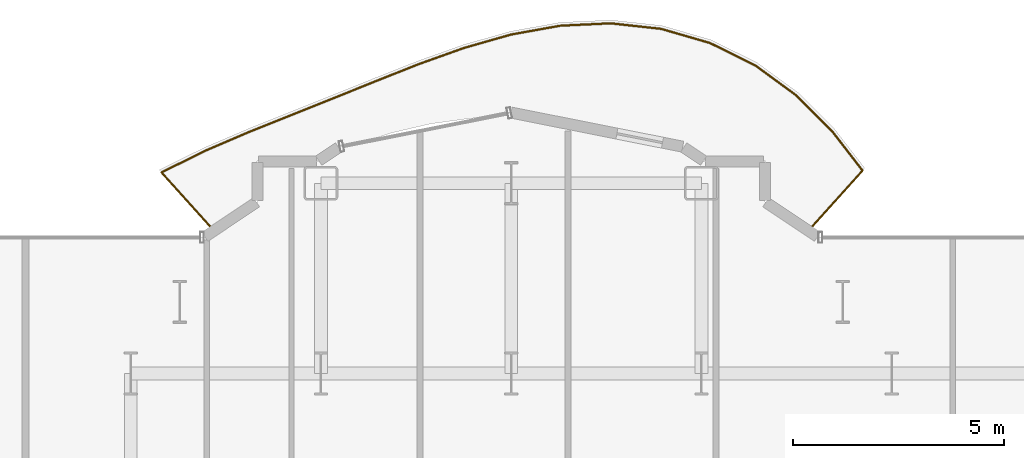
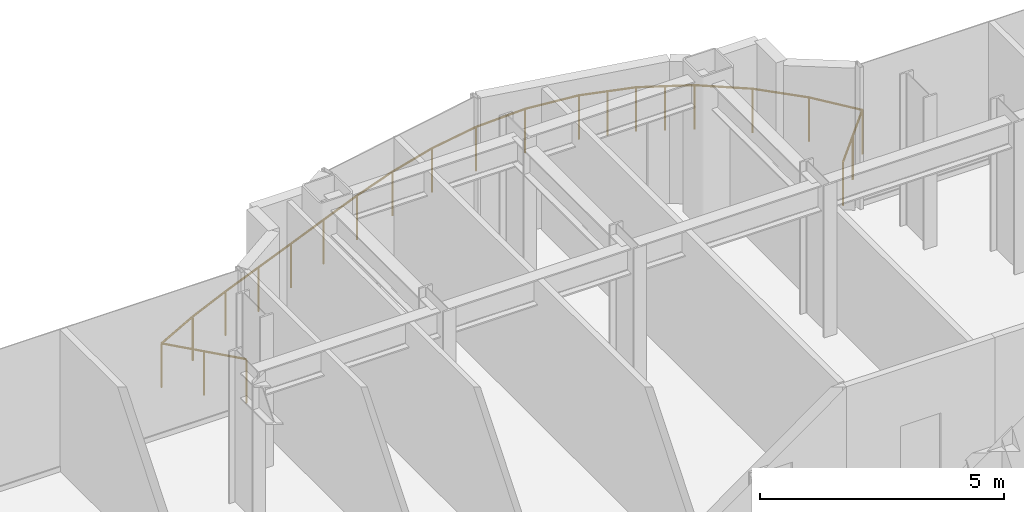
# One storey, part 29 of 29: 1 railing.
"""IFC4 building model written with IfcOpenShell, lengths in metres."""

from ifc_helpers import new_model, si_unit, direction, frame, origin, origin_2d, place, context, subcontext, project, spatial, circle, extrude, material, type_object, element, save


model = new_model("IFC4")

# Units and contexts
model_context = context("Model", 3, precision=1e-05, world=origin(), true_north=direction((0.0, 1.0)))
body_context = subcontext(model_context, "Body", "Model", "MODEL_VIEW")
ifc_project = project(units=[si_unit("LENGTHUNIT", "METRE"), si_unit("AREAUNIT", "SQUARE_METRE"), si_unit("VOLUMEUNIT", "CUBIC_METRE"), si_unit("PLANEANGLEUNIT", "RADIAN"), si_unit("MASSUNIT", "GRAM", prefix="KILO")], contexts=[model_context])

# Site, building, storey
site_placement = place(None, origin())
site = spatial("IfcSite", under=ifc_project, at=site_placement, CompositionType="ELEMENT")
building_placement = place(site_placement, origin())
building = spatial("IfcBuilding", under=site, at=building_placement, Name="Nefas-Gora Pilgrimage Tower", CompositionType="ELEMENT")
storey_placement = place(building_placement, frame((0.0, 0.0, 136.39990234375)))
storey = spatial("IfcBuildingStorey", under=building, at=storey_placement, Name="L33", CompositionType="ELEMENT", Elevation=136.39990234375)

# Railing
ifc_material = material(Name="Laminated safety glass and stainless steel", Category="steel")
railing_type = type_object("IfcRailingType", Name="RLG-BAL-1100", PredefinedType="BALUSTRADE", material=ifc_material)
railing_placement = place(storey_placement, frame((4.802490234375, 21.402587890625, 0.0)))
element("IfcRailing", 1, at=railing_placement, inside=storey, type_object=railing_type, Name="L33 Wave Balcony Balustrade N1", PredefinedType="BALUSTRADE", context=body_context, shape_type="SweptSolid", body=[
    extrude(circle(Radius=0.02392578125, at=origin_2d()), frame((0.0, 0.0, 1.09619140625), z_axis=(0.669129721026, 0.743145622634, 0.0), x_axis=(-0.743145622634, 0.669129721026, 0.0)), (0.0, 0.0, 1.0), 1.880126953125),
    extrude(circle(Radius=0.02392578125, at=origin_2d()), frame((1.258056640625, 1.397216796875, 1.09619140625), z_axis=(-0.611200063939, 0.791476141044, 0.0), x_axis=(-0.791476141044, -0.611200063939, 0.0)), (0.0, 0.0, 1.0), 1.179443359375),
    extrude(circle(Radius=0.02392578125, at=origin_2d()), frame((0.537109375, 2.330810546875, 1.09619140625), z_axis=(-0.707209030738, 0.707004516848, 0.0), x_axis=(-0.707004516848, -0.707209030738, 0.0)), (0.0, 0.0, 1.0), 1.19384765625),
    extrude(circle(Radius=0.02392578125, at=origin_2d()), frame((-0.30712890625, 3.1748046875, 1.09619140625), z_axis=(-0.807148617314, 0.590348295135, 0.0), x_axis=(-0.590348295135, -0.807148617314, 0.0)), (0.0, 0.0, 1.0), 1.19921875),
    extrude(circle(Radius=0.02392578125, at=origin_2d()), frame((-1.275146484375, 3.8828125, 1.09619140625), z_axis=(-0.896048232133, 0.443956716011, 0.0), x_axis=(-0.443956716011, -0.896048232133, 0.0)), (0.0, 0.0, 1.0), 1.200439453125),
    extrude(circle(Radius=0.02392578125, at=origin_2d()), frame((-2.350830078125, 4.415771484375, 1.09619140625), z_axis=(-0.960465578019, 0.278398766951, 0.0), x_axis=(-0.278398766951, -0.960465578019, 0.0)), (0.0, 0.0, 1.0), 1.200439453125),
    extrude(circle(Radius=0.02392578125, at=origin_2d()), frame((-3.50390625, 4.75, 1.09619140625), z_axis=(-0.994009663553, 0.109292217307, 0.0), x_axis=(-0.109292217307, -0.994009663553, 0.0)), (0.0, 0.0, 1.0), 1.199462890625),
    extrude(circle(Radius=0.02392578125, at=origin_2d()), frame((-4.6962890625, 4.881103515625, 1.09619140625), z_axis=(-0.998903921138, -0.046807652535, 0.0), x_axis=(0.046807652535, -0.998903921138, 0.0)), (0.0, 0.0, 1.0), 1.1943359375),
    extrude(circle(Radius=0.02392578125, at=origin_2d()), frame((-5.889404296875, 4.8251953125, 1.09619140625), z_axis=(-0.984273970402, -0.176648665973, 0.0), x_axis=(0.176648665973, -0.984273970402, 0.0)), (0.0, 0.0, 1.0), 1.181640625),
    extrude(circle(Radius=0.02392578125, at=origin_2d()), frame((-7.052490234375, 4.616455078125, 1.09619140625), z_axis=(-0.961722400744, -0.274025589875, 0.0), x_axis=(0.274025589875, -0.961722400744, 0.0)), (0.0, 0.0, 1.0), 1.1591796875),
    extrude(circle(Radius=0.02392578125, at=origin_2d()), frame((-8.167236328125, 4.298828125, 1.09619140625), z_axis=(-0.941629347278, -0.336651410726, 0.0), x_axis=(0.336651410726, -0.941629347278, 0.0)), (0.0, 0.0, 1.0), 1.129150390625),
    extrude(circle(Radius=0.02392578125, at=origin_2d()), frame((-9.23046875, 3.918701171875, 1.09619140625), z_axis=(-0.929909498538, -0.367788423592, 0.0), x_axis=(0.367788423592, -0.929909498538, 0.0)), (0.0, 0.0, 1.0), 1.099365234375),
    extrude(circle(Radius=0.02392578125, at=origin_2d()), frame((-10.252685546875, 3.514404296875, 1.09619140625), z_axis=(-0.927160236692, -0.374665044403, 0.0), x_axis=(0.374665044403, -0.927160236692, 0.0)), (0.0, 0.0, 1.0), 1.0791015625),
    extrude(circle(Radius=0.02392578125, at=origin_2d()), frame((-11.253173828125, 3.110107421875, 1.09619140625), z_axis=(-0.928883068163, -0.370373116844, 0.0), x_axis=(0.370373116844, -0.928883068163, 0.0)), (0.0, 0.0, 1.0), 1.07568359375),
    extrude(circle(Radius=0.02392578125, at=origin_2d()), frame((-12.25244140625, 2.711669921875, 1.09619140625), z_axis=(-0.928183190328, -0.372123588601, 0.0), x_axis=(0.372123588601, -0.928183190328, 0.0)), (0.0, 0.0, 1.0), 1.091064453125),
    extrude(circle(Radius=0.02392578125, at=origin_2d()), frame((-13.26513671875, 2.3056640625, 1.09619140625), z_axis=(-0.919111174096, -0.393998286356, 0.0), x_axis=(0.393998286356, -0.919111174096, 0.0)), (0.0, 0.0, 1.0), 1.119140625),
    extrude(circle(Radius=0.02392578125, at=origin_2d()), frame((-14.293701171875, 1.86474609375, 1.09619140625), z_axis=(-0.895992473093, -0.444069238026, 0.0), x_axis=(0.444069238026, -0.895992473093, 0.0)), (0.0, 0.0, 1.0), 1.150146484375),
    extrude(circle(Radius=0.02392578125, at=origin_2d()), frame((-15.32421875, 1.35400390625, 1.09619140625), z_axis=(0.669157184217, -0.743120893806, 0.0), x_axis=(0.743120893806, 0.669157184217, 0.0)), (0.0, 0.0, 1.0), 1.822021484375),
    extrude(circle(Radius=0.02099609375, at=origin_2d()), origin(), (0.0, 0.0, 1.0), 1.072021484375),
    extrude(circle(Radius=0.02099609375, at=origin_2d()), frame((0.62890625, 0.69873046875, 0.0)), (0.0, 0.0, 1.0), 1.072021484375),
    extrude(circle(Radius=0.02099609375, at=origin_2d()), frame((1.258056640625, 1.397216796875, 0.0)), (0.0, 0.0, 1.0), 1.072021484375),
    extrude(circle(Radius=0.02099609375, at=origin_2d()), frame((0.537109375, 2.330810546875, 0.0)), (0.0, 0.0, 1.0), 1.072021484375),
    extrude(circle(Radius=0.02099609375, at=origin_2d()), frame((-0.30712890625, 3.1748046875, 0.0)), (0.0, 0.0, 1.0), 1.072021484375),
    extrude(circle(Radius=0.02099609375, at=origin_2d()), frame((-1.275146484375, 3.8828125, 0.0)), (0.0, 0.0, 1.0), 1.072021484375),
    extrude(circle(Radius=0.02099609375, at=origin_2d()), frame((-1.81298828125, 4.1494140625, 0.0)), (0.0, 0.0, 1.0), 1.072021484375),
    extrude(circle(Radius=0.02099609375, at=origin_2d()), frame((-2.350830078125, 4.415771484375, 0.0)), (0.0, 0.0, 1.0), 1.072021484375),
    extrude(circle(Radius=0.02099609375, at=origin_2d()), frame((-2.92724609375, 4.5830078125, 0.0)), (0.0, 0.0, 1.0), 1.072021484375),
    extrude(circle(Radius=0.02099609375, at=origin_2d()), frame((-3.50390625, 4.75, 0.0)), (0.0, 0.0, 1.0), 1.072021484375),
    extrude(circle(Radius=0.02099609375, at=origin_2d()), frame((-4.6962890625, 4.881103515625, 0.0)), (0.0, 0.0, 1.0), 1.072021484375),
    extrude(circle(Radius=0.02099609375, at=origin_2d()), frame((-5.889404296875, 4.8251953125, 0.0)), (0.0, 0.0, 1.0), 1.072021484375),
    extrude(circle(Radius=0.02099609375, at=origin_2d()), frame((-7.052490234375, 4.616455078125, 0.0)), (0.0, 0.0, 1.0), 1.072021484375),
    extrude(circle(Radius=0.02099609375, at=origin_2d()), frame((-8.167236328125, 4.298828125, 0.0)), (0.0, 0.0, 1.0), 1.072021484375),
    extrude(circle(Radius=0.02099609375, at=origin_2d()), frame((-9.23046875, 3.918701171875, 0.0)), (0.0, 0.0, 1.0), 1.072021484375),
    extrude(circle(Radius=0.02099609375, at=origin_2d()), frame((-10.252685546875, 3.514404296875, 0.0)), (0.0, 0.0, 1.0), 1.072021484375),
    extrude(circle(Radius=0.02099609375, at=origin_2d()), frame((-11.253173828125, 3.110107421875, 0.0)), (0.0, 0.0, 1.0), 1.072021484375),
    extrude(circle(Radius=0.02099609375, at=origin_2d()), frame((-12.25244140625, 2.711669921875, 0.0)), (0.0, 0.0, 1.0), 1.072021484375),
    extrude(circle(Radius=0.02099609375, at=origin_2d()), frame((-13.26513671875, 2.3056640625, 0.0)), (0.0, 0.0, 1.0), 1.072021484375),
    extrude(circle(Radius=0.02099609375, at=origin_2d()), frame((-14.293701171875, 1.86474609375, 0.0)), (0.0, 0.0, 1.0), 1.072021484375),
    extrude(circle(Radius=0.02099609375, at=origin_2d()), frame((-15.32421875, 1.35400390625, 0.0)), (0.0, 0.0, 1.0), 1.072021484375),
    extrude(circle(Radius=0.02099609375, at=origin_2d()), frame((-14.714599609375, 0.677001953125, 0.0)), (0.0, 0.0, 1.0), 1.072021484375),
    extrude(circle(Radius=0.02099609375, at=origin_2d()), frame((-14.10498046875, 0.0, 0.0)), (0.0, 0.0, 1.0), 1.072021484375),
])

save(model, "model.ifc")
